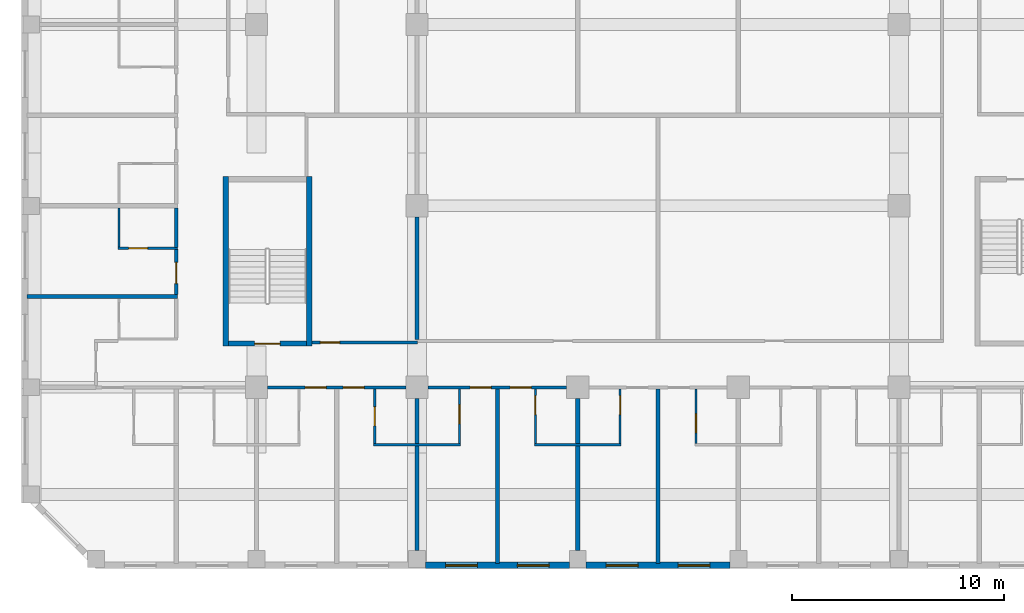
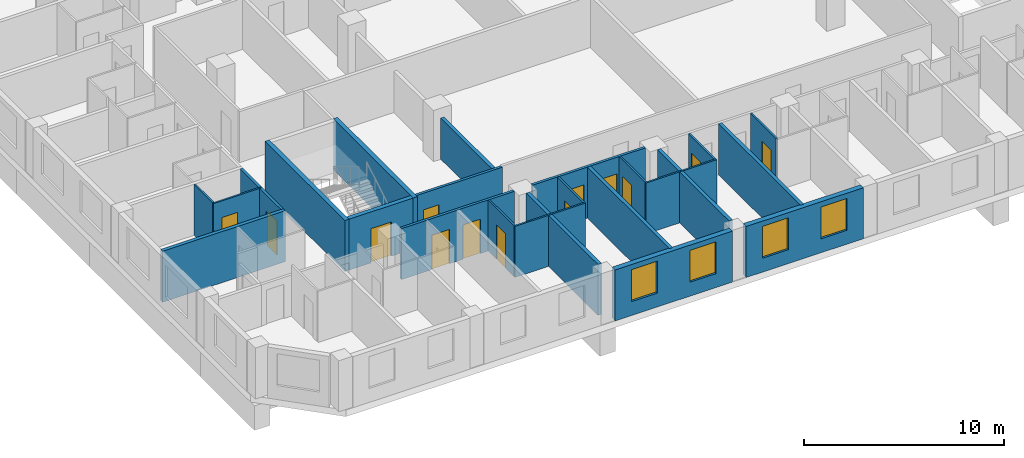
# One storey, part 3 of 16: 27 walls, 13 doors, 4 windows, 17 openings.
"""IFC4 building model written with IfcOpenShell, lengths in metres."""

from ifc_helpers import new_model, si_unit, direction, frame, frame_2d, origin, place, context, subcontext, project, spatial, rectangle, extrude, source, transform, mapped, material, layer, layer_set, type_object, element, fill, save


model = new_model("IFC4")

# Units and contexts
model_context = context("Model", 3, precision=1e-05, world=origin(), true_north=direction((0.0, 1.0)))
body_context = subcontext(model_context, "Body", "Model", "MODEL_VIEW")
ifc_project = project(units=[si_unit("LENGTHUNIT", "METRE"), si_unit("AREAUNIT", "SQUARE_METRE"), si_unit("VOLUMEUNIT", "CUBIC_METRE"), si_unit("PLANEANGLEUNIT", "RADIAN"), si_unit("MASSUNIT", "GRAM", prefix="KILO")], contexts=[model_context])

# Site, building, storey
site_placement = place(None, origin())
site = spatial("IfcSite", under=ifc_project, at=site_placement, CompositionType="ELEMENT")
building_placement = place(site_placement, origin())
building = spatial("IfcBuilding", under=site, at=building_placement, Name="Kilnfold Tower and Market Hall", CompositionType="ELEMENT")
storey_placement = place(building_placement, frame((0.0, 0.0, 168.5)))
storey = spatial("IfcBuildingStorey", under=building, at=storey_placement, Name="L39", CompositionType="ELEMENT", Elevation=168.5)

# Wall, openings, doors
ifc_material_1 = material(Name="Gypsum board on steel studs", Category="steel")
ifc_layer_1 = layer(ifc_material_1, 0.14990234375)
ifc_layer_set_1 = layer_set([ifc_layer_1], Name="Gypsum board on steel studs")
wall_type_1 = type_object("IfcWallType", Name="WALL CORRIDOR 150", PredefinedType="PARTITIONING", material=ifc_layer_set_1)
wall_1_placement = place(storey_placement, frame((-15.64208984375, -17.699951171875, 0.0), z_axis=(0.0, 0.0, 1.0), x_axis=(1.0, 0.0, 0.0)))
wall_1 = element("IfcWall", 1, at=wall_1_placement, inside=storey, type_object=wall_type_1, Name="Partition LY26.2", PredefinedType="PARTITIONING", context=body_context, shape_type="SweptSolid", body=[
    extrude(rectangle(XDim=6.5341796875, YDim=0.14990234375, at=frame_2d((3.26708984375, 0.0))), origin(), (0.0, 0.0, 1.0), 3.1201171875),
])
opening_1_placement = place(wall_1_placement, frame((1.76806640625, 0.0, 0.0)))
opening_1 = element("IfcOpeningElement", 2, at=opening_1_placement, cuts=wall_1, Name="Opening D1", PredefinedType="OPENING", context=body_context, shape_type="SweptSolid", body=[
    extrude(rectangle(XDim=1.0, YDim=2.10009765625, at=frame_2d((0.5, 1.050048828125))), frame((0.0, 0.0849609375, 0.0), z_axis=(0.0, -1.0, 0.0), x_axis=(1.0, 0.0, 0.0)), (0.0, 0.0, 1.0), 0.169921875),
])
opening_2_placement = place(wall_1_placement, frame((3.56005859375, 0.0, 0.0)))
opening_2 = element("IfcOpeningElement", 3, at=opening_2_placement, cuts=wall_1, Name="Opening D1", PredefinedType="OPENING", context=body_context, shape_type="SweptSolid", body=[
    extrude(rectangle(XDim=1.0, YDim=2.10009765625, at=frame_2d((0.5, 1.050048828125))), frame((0.0, 0.0849609375, 0.0), z_axis=(0.0, -1.0, 0.0), x_axis=(1.0, 0.0, 0.0)), (0.0, 0.0, 1.0), 0.169921875),
])
ifc_material_2 = material(Name="Timber veneer door leaf in steel frame", Category="steel")
door_type_1 = type_object("IfcDoorType", Name="DOOR ENTRY 1000 X2100", OperationType="NOTDEFINED", PredefinedType="DOOR", material=ifc_material_2)
door_1_placement = place(opening_1_placement, origin())
door_1 = element("IfcDoor", 4, at=door_1_placement, inside=storey, type_object=door_type_1, Name="Door D1", OperationType="SINGLE_SWING_RIGHT", OverallHeight=2.10009765625, OverallWidth=1.0, PredefinedType="DOOR", context=body_context, shape_type="SweptSolid", body=[
    extrude(rectangle(XDim=1.0, YDim=2.10009765625, at=frame_2d((0.5, 1.050048828125))), frame((0.0, 0.02490234375, 0.0), z_axis=(0.0, -1.0, 0.0), x_axis=(1.0, 0.0, 0.0)), (0.0, 0.0, 1.0), 0.050048828125),
])
fill(opening_1, door_1)
door_2_placement = place(opening_2_placement, origin())
door_2 = element("IfcDoor", 5, at=door_2_placement, inside=storey, type_object=door_type_1, Name="Door D1", OperationType="SINGLE_SWING_RIGHT", OverallHeight=2.10009765625, OverallWidth=1.0, PredefinedType="DOOR", context=body_context, shape_type="SweptSolid", body=[
    extrude(rectangle(XDim=1.0, YDim=2.10009765625, at=frame_2d((0.5, 1.050048828125))), frame((0.0, 0.02490234375, 0.0), z_axis=(0.0, -1.0, 0.0), x_axis=(1.0, 0.0, 0.0)), (0.0, 0.0, 1.0), 0.050048828125),
])
fill(opening_2, door_2)

wall_2_placement = place(storey_placement, frame((-8.05810546875, -17.699951171875, 0.0), z_axis=(0.0, 0.0, 1.0), x_axis=(1.0, 0.0, 0.0)))
wall_2 = element("IfcWall", 6, at=wall_2_placement, inside=storey, type_object=wall_type_1, Name="Partition LY26.3", PredefinedType="PARTITIONING", context=body_context, shape_type="SweptSolid", body=[
    extrude(rectangle(XDim=6.533203125, YDim=0.14990234375, at=frame_2d((3.2666015625, 0.0))), origin(), (0.0, 0.0, 1.0), 3.1201171875),
])
opening_3_placement = place(wall_2_placement, frame((1.972900390625, 0.0, 0.0)))
opening_3 = element("IfcOpeningElement", 7, at=opening_3_placement, cuts=wall_2, Name="Opening D1", PredefinedType="OPENING", context=body_context, shape_type="SweptSolid", body=[
    extrude(rectangle(XDim=1.0, YDim=2.10009765625, at=frame_2d((0.5, 1.050048828125))), frame((0.0, 0.0849609375, 0.0), z_axis=(0.0, -1.0, 0.0), x_axis=(1.0, 0.0, 0.0)), (0.0, 0.0, 1.0), 0.169921875),
])
opening_4_placement = place(wall_2_placement, frame((3.867919921875, 0.0, 0.0)))
opening_4 = element("IfcOpeningElement", 8, at=opening_4_placement, cuts=wall_2, Name="Opening D1", PredefinedType="OPENING", context=body_context, shape_type="SweptSolid", body=[
    extrude(rectangle(XDim=1.0, YDim=2.10009765625, at=frame_2d((0.5, 1.050048828125))), frame((0.0, 0.0849609375, 0.0), z_axis=(0.0, -1.0, 0.0), x_axis=(1.0, 0.0, 0.0)), (0.0, 0.0, 1.0), 0.169921875),
])
door_3_placement = place(opening_3_placement, origin())
door_3 = element("IfcDoor", 9, at=door_3_placement, inside=storey, type_object=door_type_1, Name="Door D1", OperationType="SINGLE_SWING_RIGHT", OverallHeight=2.10009765625, OverallWidth=1.0, PredefinedType="DOOR", context=body_context, shape_type="SweptSolid", body=[
    extrude(rectangle(XDim=1.0, YDim=2.10009765625, at=frame_2d((0.5, 1.050048828125))), frame((0.0, 0.02490234375, 0.0), z_axis=(0.0, -1.0, 0.0), x_axis=(1.0, 0.0, 0.0)), (0.0, 0.0, 1.0), 0.050048828125),
])
fill(opening_3, door_3)
door_4_placement = place(opening_4_placement, origin())
door_4 = element("IfcDoor", 10, at=door_4_placement, inside=storey, type_object=door_type_1, Name="Door D1", OperationType="SINGLE_SWING_LEFT", OverallHeight=2.10009765625, OverallWidth=1.0, PredefinedType="DOOR", context=body_context, shape_type="SweptSolid", body=[
    extrude(rectangle(XDim=1.0, YDim=2.10009765625, at=frame_2d((0.5, 1.050048828125))), frame((0.0, 0.02490234375, 0.0), z_axis=(0.0, -1.0, 0.0), x_axis=(1.0, 0.0, 0.0)), (0.0, 0.0, 1.0), 0.050048828125),
])
fill(opening_4, door_4)

# Wall, opening, door
wall_3_placement = place(storey_placement, frame((-19.958984375, -13.31591796875, 0.0), z_axis=(0.0, 0.0, 1.0), x_axis=(0.0, 1.0, 0.0)))
wall_3 = element("IfcWall", 11, at=wall_3_placement, inside=storey, type_object=wall_type_1, Name="Partition LY26.10", PredefinedType="PARTITIONING", context=body_context, shape_type="SweptSolid", body=[
    extrude(rectangle(XDim=2.15087890625, YDim=0.14990234375, at=frame_2d((1.075439453125, 0.0))), origin(), (0.0, 0.0, 1.0), 3.1201171875),
])
opening_5_placement = place(wall_3_placement, frame((0.52197265625, 0.0, 0.0)))
opening_5 = element("IfcOpeningElement", 12, at=opening_5_placement, cuts=wall_3, Name="Opening D1", PredefinedType="OPENING", context=body_context, shape_type="SweptSolid", body=[
    extrude(rectangle(XDim=1.0, YDim=2.10009765625, at=frame_2d((0.5, 1.050048828125))), frame((0.0, 0.0849609375, 0.0), z_axis=(0.0, -1.0, 0.0), x_axis=(1.0, 0.0, 0.0)), (0.0, 0.0, 1.0), 0.169921875),
])
door_5_placement = place(opening_5_placement, origin())
door_5 = element("IfcDoor", 13, at=door_5_placement, inside=storey, type_object=door_type_1, Name="Door D1", OperationType="SINGLE_SWING_LEFT", OverallHeight=2.10009765625, OverallWidth=1.0, PredefinedType="DOOR", context=body_context, shape_type="SweptSolid", body=[
    extrude(rectangle(XDim=1.0, YDim=2.10009765625, at=frame_2d((0.5, 1.050048828125))), frame((0.0, 0.02490234375, 0.0), z_axis=(0.0, -1.0, 0.0), x_axis=(1.0, 0.0, 0.0)), (0.0, 0.0, 1.0), 0.050048828125),
])
fill(opening_5, door_5)

# Wall
wall_4_placement = place(storey_placement, frame((-19.958984375, -11.0849609375, 0.0), z_axis=(0.0, 0.0, 1.0), x_axis=(0.0, 1.0, 0.0)))
element("IfcWall", 14, at=wall_4_placement, inside=storey, type_object=wall_type_1, Name="Partition LY26.11", PredefinedType="PARTITIONING", context=body_context, shape_type="SweptSolid", body=[
    extrude(rectangle(XDim=1.869873046875, YDim=0.14990234375, at=frame_2d((0.93505859375, 0.0))), origin(), (0.0, 0.0, 1.0), 3.1201171875),
])

# Wall, opening, door
wall_5_placement = place(storey_placement, frame((-8.572998046875, -15.574951171875, 0.0), z_axis=(0.0, 0.0, 1.0), x_axis=(-1.0, 0.0, 0.0)))
wall_5 = element("IfcWall", 15, at=wall_5_placement, inside=storey, type_object=wall_type_1, Name="Partition LY26.47", PredefinedType="PARTITIONING", context=body_context, shape_type="SweptSolid", body=[
    extrude(rectangle(XDim=4.97705078125, YDim=0.14990234375, at=frame_2d((2.488525390625, 0.0))), origin(), (0.0, 0.0, 1.0), 3.1201171875),
])
opening_6_placement = place(wall_5_placement, frame((3.673095703125, 0.0, 0.0)))
opening_6 = element("IfcOpeningElement", 16, at=opening_6_placement, cuts=wall_5, Name="Opening D2", PredefinedType="OPENING", context=body_context, shape_type="SweptSolid", body=[
    extrude(rectangle(XDim=0.89990234375, YDim=2.10009765625, at=frame_2d((0.449951171875, 1.050048828125))), frame((0.0, 0.0849609375, 0.0), z_axis=(0.0, -1.0, 0.0), x_axis=(1.0, 0.0, 0.0)), (0.0, 0.0, 1.0), 0.169921875),
])
ifc_material_3 = material(Name="Timber veneer door leaf in steel frame", Category="steel")
door_type_2 = type_object("IfcDoorType", Name="DOOR ROOM 900 X2100", OperationType="NOTDEFINED", PredefinedType="DOOR", material=ifc_material_3)
door_6_placement = place(opening_6_placement, origin())
door_6 = element("IfcDoor", 17, at=door_6_placement, inside=storey, type_object=door_type_2, Name="Door D2", OperationType="SINGLE_SWING_LEFT", OverallHeight=2.10009765625, OverallWidth=0.89990234375, PredefinedType="DOOR", context=body_context, shape_type="SweptSolid", body=[
    extrude(rectangle(XDim=0.89990234375, YDim=2.10009765625, at=frame_2d((0.449951171875, 1.050048828125))), frame((0.0, 0.02490234375, 0.0), z_axis=(0.0, -1.0, 0.0), x_axis=(1.0, 0.0, 0.0)), (0.0, 0.0, 1.0), 0.050048828125),
])
fill(opening_6, door_6)

ifc_material_4 = material(Name="Gypsum board on steel studs", Category="steel")
ifc_layer_2 = layer(ifc_material_4, 0.10009765625)
ifc_layer_set_2 = layer_set([ifc_layer_2], Name="Gypsum board on steel studs")
wall_type_2 = type_object("IfcWallType", Name="WALL PARTITION 100", PredefinedType="PARTITIONING", material=ifc_layer_set_2)
wall_6_placement = place(storey_placement, frame((-10.5830078125, -20.35205078125, 0.0), z_axis=(0.0, 0.0, 1.0), x_axis=(0.0, 1.0, 0.0)))
wall_6 = element("IfcWall", 18, at=wall_6_placement, inside=storey, type_object=wall_type_2, Name="Partition LY26.61", PredefinedType="PARTITIONING", context=body_context, shape_type="SweptSolid", body=[
    extrude(rectangle(XDim=2.574951171875, YDim=0.10009765625, at=frame_2d((1.28759765625, 0.0))), origin(), (0.0, 0.0, 1.0), 3.1201171875),
])
opening_7_placement = place(wall_6_placement, frame((0.8369140625, 0.0, 0.0)))
opening_7 = element("IfcOpeningElement", 19, at=opening_7_placement, cuts=wall_6, Name="Opening D3", PredefinedType="OPENING", context=body_context, shape_type="SweptSolid", body=[
    extrude(rectangle(XDim=0.89990234375, YDim=2.10009765625, at=frame_2d((0.449951171875, 1.050048828125))), frame((0.0, 0.06005859375, 0.0), z_axis=(0.0, -1.0, 0.0), x_axis=(1.0, 0.0, 0.0)), (0.0, 0.0, 1.0), 0.1201171875),
])
ifc_material_5 = material(Name="Timber veneer door leaf in steel frame", Category="steel")
door_type_3 = type_object("IfcDoorType", Name="DOOR WC 900 X2100", OperationType="NOTDEFINED", PredefinedType="DOOR", material=ifc_material_5)
door_7_placement = place(opening_7_placement, origin())
door_7 = element("IfcDoor", 20, at=door_7_placement, inside=storey, type_object=door_type_3, Name="Door D3", OperationType="SINGLE_SWING_LEFT", OverallHeight=2.10009765625, OverallWidth=0.89990234375, PredefinedType="DOOR", context=body_context, shape_type="SweptSolid", body=[
    extrude(rectangle(XDim=0.89990234375, YDim=2.10009765625, at=frame_2d((0.449951171875, 1.050048828125))), frame((0.0, 0.02490234375, 0.0), z_axis=(0.0, -1.0, 0.0), x_axis=(1.0, 0.0, 0.0)), (0.0, 0.0, 1.0), 0.050048828125),
])
fill(opening_7, door_7)

# Wall
wall_7_placement = place(storey_placement, frame((-10.633056640625, -20.402099609375, 0.0), z_axis=(0.0, 0.0, 1.0), x_axis=(1.0, 0.0, 0.0)))
element("IfcWall", 21, at=wall_7_placement, inside=storey, type_object=wall_type_2, Name="Partition LY26.62", PredefinedType="PARTITIONING", context=body_context, shape_type="SweptSolid", body=[
    extrude(rectangle(XDim=4.10009765625, YDim=0.10009765625, at=frame_2d((2.050048828125, 0.0))), origin(), (0.0, 0.0, 1.0), 3.1201171875),
])

# Wall, opening, door
wall_8_placement = place(storey_placement, frame((-6.5830078125, -17.777099609375, 0.0), z_axis=(0.0, 0.0, 1.0), x_axis=(0.0, -1.0, 0.0)))
wall_8 = element("IfcWall", 22, at=wall_8_placement, inside=storey, type_object=wall_type_2, Name="Partition LY26.65", PredefinedType="PARTITIONING", context=body_context, shape_type="SweptSolid", body=[
    extrude(rectangle(XDim=2.574951171875, YDim=0.10009765625, at=frame_2d((1.28759765625, 0.0))), origin(), (0.0, 0.0, 1.0), 3.1201171875),
])
opening_8_placement = place(wall_8_placement, frame((0.73095703125, 0.0, 0.0)))
opening_8 = element("IfcOpeningElement", 23, at=opening_8_placement, cuts=wall_8, Name="Opening D3", PredefinedType="OPENING", context=body_context, shape_type="SweptSolid", body=[
    extrude(rectangle(XDim=0.89990234375, YDim=2.10009765625, at=frame_2d((0.449951171875, 1.050048828125))), frame((0.0, 0.06005859375, 0.0), z_axis=(0.0, -1.0, 0.0), x_axis=(1.0, 0.0, 0.0)), (0.0, 0.0, 1.0), 0.1201171875),
])
door_8_placement = place(opening_8_placement, origin())
door_8 = element("IfcDoor", 24, at=door_8_placement, inside=storey, type_object=door_type_3, Name="Door D3", OperationType="SINGLE_SWING_RIGHT", OverallHeight=2.10009765625, OverallWidth=0.89990234375, PredefinedType="DOOR", context=body_context, shape_type="SweptSolid", body=[
    extrude(rectangle(XDim=0.89990234375, YDim=2.10009765625, at=frame_2d((0.449951171875, 1.050048828125))), frame((0.0, 0.02490234375, 0.0), z_axis=(0.0, -1.0, 0.0), x_axis=(1.0, 0.0, 0.0)), (0.0, 0.0, 1.0), 0.050048828125),
])
fill(opening_8, door_8)

wall_9_placement = place(storey_placement, frame((-3.0, -20.35205078125, 0.0), z_axis=(0.0, 0.0, 1.0), x_axis=(0.0, 1.0, 0.0)))
wall_9 = element("IfcWall", 25, at=wall_9_placement, inside=storey, type_object=wall_type_2, Name="Partition LY26.67", PredefinedType="PARTITIONING", context=body_context, shape_type="SweptSolid", body=[
    extrude(rectangle(XDim=2.574951171875, YDim=0.10009765625, at=frame_2d((1.28759765625, 0.0))), origin(), (0.0, 0.0, 1.0), 3.1201171875),
])
opening_9_placement = place(wall_9_placement, frame((1.368896484375, 0.0, 0.0)))
opening_9 = element("IfcOpeningElement", 26, at=opening_9_placement, cuts=wall_9, Name="Opening D3", PredefinedType="OPENING", context=body_context, shape_type="SweptSolid", body=[
    extrude(rectangle(XDim=0.89990234375, YDim=2.10009765625, at=frame_2d((0.449951171875, 1.050048828125))), frame((0.0, 0.06005859375, 0.0), z_axis=(0.0, -1.0, 0.0), x_axis=(1.0, 0.0, 0.0)), (0.0, 0.0, 1.0), 0.1201171875),
])
door_9_placement = place(opening_9_placement, origin())
door_9 = element("IfcDoor", 27, at=door_9_placement, inside=storey, type_object=door_type_3, Name="Door D3", OperationType="SINGLE_SWING_RIGHT", OverallHeight=2.10009765625, OverallWidth=0.89990234375, PredefinedType="DOOR", context=body_context, shape_type="SweptSolid", body=[
    extrude(rectangle(XDim=0.89990234375, YDim=2.10009765625, at=frame_2d((0.449951171875, 1.050048828125))), frame((0.0, 0.02490234375, 0.0), z_axis=(0.0, -1.0, 0.0), x_axis=(1.0, 0.0, 0.0)), (0.0, 0.0, 1.0), 0.050048828125),
])
fill(opening_9, door_9)

# Wall
wall_10_placement = place(storey_placement, frame((-3.050048828125, -20.402099609375, 0.0), z_axis=(0.0, 0.0, 1.0), x_axis=(1.0, 0.0, 0.0)))
element("IfcWall", 28, at=wall_10_placement, inside=storey, type_object=wall_type_2, Name="Partition LY26.68", PredefinedType="PARTITIONING", context=body_context, shape_type="SweptSolid", body=[
    extrude(rectangle(XDim=4.10009765625, YDim=0.10009765625, at=frame_2d((2.050048828125, 0.0))), origin(), (0.0, 0.0, 1.0), 3.1201171875),
])

# Wall, opening, door
wall_11_placement = place(storey_placement, frame((1.0, -17.777099609375, 0.0), z_axis=(0.0, 0.0, 1.0), x_axis=(0.0, -1.0, 0.0)))
wall_11 = element("IfcWall", 29, at=wall_11_placement, inside=storey, type_object=wall_type_2, Name="Partition LY26.71", PredefinedType="PARTITIONING", context=body_context, shape_type="SweptSolid", body=[
    extrude(rectangle(XDim=2.574951171875, YDim=0.10009765625, at=frame_2d((1.28759765625, 0.0))), origin(), (0.0, 0.0, 1.0), 3.1201171875),
])
opening_10_placement = place(wall_11_placement, frame((0.305908203125, 0.0, 0.0)))
opening_10 = element("IfcOpeningElement", 30, at=opening_10_placement, cuts=wall_11, Name="Opening D3", PredefinedType="OPENING", context=body_context, shape_type="SweptSolid", body=[
    extrude(rectangle(XDim=0.89990234375, YDim=2.10009765625, at=frame_2d((0.449951171875, 1.050048828125))), frame((0.0, 0.06005859375, 0.0), z_axis=(0.0, -1.0, 0.0), x_axis=(1.0, 0.0, 0.0)), (0.0, 0.0, 1.0), 0.1201171875),
])
door_10_placement = place(opening_10_placement, origin())
door_10 = element("IfcDoor", 31, at=door_10_placement, inside=storey, type_object=door_type_3, Name="Door D3", OperationType="SINGLE_SWING_RIGHT", OverallHeight=2.10009765625, OverallWidth=0.89990234375, PredefinedType="DOOR", context=body_context, shape_type="SweptSolid", body=[
    extrude(rectangle(XDim=0.89990234375, YDim=2.10009765625, at=frame_2d((0.449951171875, 1.050048828125))), frame((0.0, 0.02490234375, 0.0), z_axis=(0.0, -1.0, 0.0), x_axis=(1.0, 0.0, 0.0)), (0.0, 0.0, 1.0), 0.050048828125),
])
fill(opening_10, door_10)

wall_12_placement = place(storey_placement, frame((4.5830078125, -20.35205078125, 0.0), z_axis=(0.0, 0.0, 1.0), x_axis=(0.0, 1.0, 0.0)))
wall_12 = element("IfcWall", 32, at=wall_12_placement, inside=storey, type_object=wall_type_2, Name="Partition LY26.73", PredefinedType="PARTITIONING", context=body_context, shape_type="SweptSolid", body=[
    extrude(rectangle(XDim=2.574951171875, YDim=0.10009765625, at=frame_2d((1.28759765625, 0.0))), origin(), (0.0, 0.0, 1.0), 3.1201171875),
])
opening_11_placement = place(wall_12_placement, frame((0.51904296875, 0.0, 0.0)))
opening_11 = element("IfcOpeningElement", 33, at=opening_11_placement, cuts=wall_12, Name="Opening D3", PredefinedType="OPENING", context=body_context, shape_type="SweptSolid", body=[
    extrude(rectangle(XDim=0.89990234375, YDim=2.10009765625, at=frame_2d((0.449951171875, 1.050048828125))), frame((0.0, 0.06005859375, 0.0), z_axis=(0.0, -1.0, 0.0), x_axis=(1.0, 0.0, 0.0)), (0.0, 0.0, 1.0), 0.1201171875),
])
door_11_placement = place(opening_11_placement, origin())
door_11 = element("IfcDoor", 34, at=door_11_placement, inside=storey, type_object=door_type_3, Name="Door D3", OperationType="SINGLE_SWING_RIGHT", OverallHeight=2.10009765625, OverallWidth=0.89990234375, PredefinedType="DOOR", context=body_context, shape_type="SweptSolid", body=[
    extrude(rectangle(XDim=0.89990234375, YDim=2.10009765625, at=frame_2d((0.449951171875, 1.050048828125))), frame((0.0, 0.02490234375, 0.0), z_axis=(0.0, -1.0, 0.0), x_axis=(1.0, 0.0, 0.0)), (0.0, 0.0, 1.0), 0.050048828125),
])
fill(opening_11, door_11)

wall_13_placement = place(storey_placement, frame((-19.885986328125, -11.125, 0.0), z_axis=(0.0, 0.0, 1.0), x_axis=(-1.0, 0.0, 0.0)))
wall_13 = element("IfcWall", 35, at=wall_13_placement, inside=storey, type_object=wall_type_2, Name="Partition LY26.92", PredefinedType="PARTITIONING", context=body_context, shape_type="SweptSolid", body=[
    extrude(rectangle(XDim=2.824951171875, YDim=0.10009765625, at=frame_2d((1.41259765625, 0.0))), origin(), (0.0, 0.0, 1.0), 3.1201171875),
])
opening_12_placement = place(wall_13_placement, frame((1.419921875, 0.0, 0.0)))
opening_12 = element("IfcOpeningElement", 36, at=opening_12_placement, cuts=wall_13, Name="Opening D3", PredefinedType="OPENING", context=body_context, shape_type="SweptSolid", body=[
    extrude(rectangle(XDim=0.89990234375, YDim=2.10009765625, at=frame_2d((0.449951171875, 1.050048828125))), frame((0.0, 0.06005859375, 0.0), z_axis=(0.0, -1.0, 0.0), x_axis=(1.0, 0.0, 0.0)), (0.0, 0.0, 1.0), 0.1201171875),
])
door_12_placement = place(opening_12_placement, origin())
door_12 = element("IfcDoor", 37, at=door_12_placement, inside=storey, type_object=door_type_3, Name="Door D3", OperationType="SINGLE_SWING_LEFT", OverallHeight=2.10009765625, OverallWidth=0.89990234375, PredefinedType="DOOR", context=body_context, shape_type="SweptSolid", body=[
    extrude(rectangle(XDim=0.89990234375, YDim=2.10009765625, at=frame_2d((0.449951171875, 1.050048828125))), frame((0.0, 0.02490234375, 0.0), z_axis=(0.0, -1.0, 0.0), x_axis=(1.0, 0.0, 0.0)), (0.0, 0.0, 1.0), 0.050048828125),
])
fill(opening_12, door_12)

# Walls
wall_14_placement = place(storey_placement, frame((-22.660888671875, -11.074951171875, 0.0), z_axis=(0.0, 0.0, 1.0), x_axis=(0.0, 1.0, 0.0)))
element("IfcWall", 38, at=wall_14_placement, inside=storey, type_object=wall_type_2, Name="Partition LY26.93", PredefinedType="PARTITIONING", context=body_context, shape_type="SweptSolid", body=[
    extrude(rectangle(XDim=1.849853515625, YDim=0.10009765625, at=frame_2d((0.9248046875, 0.0))), origin(), (0.0, 0.0, 1.0), 3.1201171875),
])
ifc_material_6 = material(Name="Gypsum board on steel studs", Category="steel")
ifc_layer_3 = layer(ifc_material_6, 0.199951171875)
ifc_layer_set_3 = layer_set([ifc_layer_3], Name="Gypsum board on steel studs")
wall_type_3 = type_object("IfcWallType", Name="WALL PARTY 200", PredefinedType="PARTITIONING", material=ifc_layer_set_3)
wall_15_placement = place(storey_placement, frame((-8.5830078125, -25.39990234375, 0.0), z_axis=(0.0, 0.0, 1.0), x_axis=(0.0, 1.0, 0.0)))
element("IfcWall", 39, at=wall_15_placement, inside=storey, type_object=wall_type_3, Name="Partition LY26.63", PredefinedType="PARTITIONING", context=body_context, shape_type="SweptSolid", body=[
    extrude(rectangle(XDim=4.947998046875, YDim=0.199951171875, at=frame_2d((2.47412109375, 0.0))), origin(), (0.0, 0.0, 1.0), 3.1201171875),
])
wall_16_placement = place(storey_placement, frame((-8.5830078125, -20.35205078125, 0.0), z_axis=(0.0, 0.0, 1.0), x_axis=(0.0, 1.0, 0.0)))
element("IfcWall", 40, at=wall_16_placement, inside=storey, type_object=wall_type_3, Name="Partition LY26.64", PredefinedType="PARTITIONING", context=body_context, shape_type="SweptSolid", body=[
    extrude(rectangle(XDim=2.14013671875, YDim=0.199951171875, at=frame_2d((1.070068359375, 0.0))), origin(), (0.0, 0.0, 1.0), 3.1201171875),
])
wall_17_placement = place(storey_placement, frame((-4.7919921875, -26.0, 0.0), z_axis=(0.0, 0.0, 1.0), x_axis=(0.0, 1.0, 0.0)))
element("IfcWall", 41, at=wall_17_placement, inside=storey, type_object=wall_type_3, Name="Partition LY26.66", PredefinedType="PARTITIONING", context=body_context, shape_type="SweptSolid", body=[
    extrude(rectangle(XDim=8.222900390625, YDim=0.199951171875, at=frame_2d((4.111328125, 0.0))), origin(), (0.0, 0.0, 1.0), 3.1201171875),
])
wall_18_placement = place(storey_placement, frame((-1.0, -25.39990234375, 0.0), z_axis=(0.0, 0.0, 1.0), x_axis=(0.0, 1.0, 0.0)))
element("IfcWall", 42, at=wall_18_placement, inside=storey, type_object=wall_type_3, Name="Partition LY26.69", PredefinedType="PARTITIONING", context=body_context, shape_type="SweptSolid", body=[
    extrude(rectangle(XDim=4.947998046875, YDim=0.199951171875, at=frame_2d((2.47412109375, 0.0))), origin(), (0.0, 0.0, 1.0), 3.1201171875),
])
wall_19_placement = place(storey_placement, frame((-1.0, -20.35205078125, 0.0), z_axis=(0.0, 0.0, 1.0), x_axis=(0.0, 1.0, 0.0)))
element("IfcWall", 43, at=wall_19_placement, inside=storey, type_object=wall_type_3, Name="Partition LY26.70", PredefinedType="PARTITIONING", context=body_context, shape_type="SweptSolid", body=[
    extrude(rectangle(XDim=2.14013671875, YDim=0.199951171875, at=frame_2d((1.070068359375, 0.0))), origin(), (0.0, 0.0, 1.0), 3.1201171875),
])
wall_20_placement = place(storey_placement, frame((2.7919921875, -26.0, 0.0), z_axis=(0.0, 0.0, 1.0), x_axis=(0.0, 1.0, 0.0)))
element("IfcWall", 44, at=wall_20_placement, inside=storey, type_object=wall_type_3, Name="Partition LY26.72", PredefinedType="PARTITIONING", context=body_context, shape_type="SweptSolid", body=[
    extrude(rectangle(XDim=8.222900390625, YDim=0.199951171875, at=frame_2d((4.111328125, 0.0))), origin(), (0.0, 0.0, 1.0), 3.1201171875),
])
wall_21_placement = place(storey_placement, frame((-27.0, -13.406005859375, 0.0), z_axis=(0.0, 0.0, 1.0), x_axis=(1.0, 0.0, 0.0)))
element("IfcWall", 45, at=wall_21_placement, inside=storey, type_object=wall_type_3, Name="Partition LY26.91", PredefinedType="PARTITIONING", context=body_context, shape_type="SweptSolid", body=[
    extrude(rectangle(XDim=7.114013671875, YDim=0.199951171875, at=frame_2d((3.55712890625, 0.0))), origin(), (0.0, 0.0, 1.0), 3.1201171875),
])
wall_22_placement = place(storey_placement, frame((-8.5830078125, -15.423095703125, 0.0), z_axis=(0.0, 0.0, 1.0), x_axis=(0.0, 1.0, 0.0)))
element("IfcWall", 46, at=wall_22_placement, inside=storey, type_object=wall_type_3, Name="Partition LY26.141", PredefinedType="PARTITIONING", context=body_context, shape_type="SweptSolid", body=[
    extrude(rectangle(XDim=5.773193359375, YDim=0.199951171875, at=frame_2d((2.88671875, 0.0))), origin(), (0.0, 0.0, 1.0), 2.52001953125),
])

# Wall, opening, door
ifc_material_7 = material(Name="Concrete C70", Category="concrete")
ifc_layer_4 = layer(ifc_material_7, 0.25)
ifc_layer_set_4 = layer_set([ifc_layer_4], Name="Concrete C70")
wall_type_4 = type_object("IfcWallType", Name="CORE WALL 250 C70", PredefinedType="SHEAR", material=ifc_layer_set_4)
shared_shape_1 = source(origin(), body_context, "Body", "SweptSolid", [
    extrude(rectangle(XDim=3.699951171875, YDim=0.25, at=frame_2d((1.85009765625, 0.0))), origin(), (0.0, 0.0, 1.0), 3.1201171875),
])
wall_23_placement = place(storey_placement, frame((-17.5, -15.625, 0.0), z_axis=(0.0, 0.0, 1.0), x_axis=(1.0, 0.0, 0.0)))
wall_23 = element("IfcWall", 47, at=wall_23_placement, inside=storey, type_object=wall_type_4, Name="Stair enclosure ST3", PredefinedType="SHEAR", context=body_context, shape_type="MappedRepresentation", body=[
    mapped(shared_shape_1, transform((0.0, 0.0, 0.0))),
])
opening_13_placement = place(wall_23_placement, frame((1.25, 0.0, 0.0)))
opening_13 = element("IfcOpeningElement", 48, at=opening_13_placement, cuts=wall_23, Name="Opening SD1", PredefinedType="OPENING", context=body_context, shape_type="SweptSolid", body=[
    extrude(rectangle(XDim=1.199951171875, YDim=2.10009765625, at=frame_2d((0.60009765625, 1.050048828125))), frame((0.0, 0.135009765625, 0.0), z_axis=(0.0, -1.0, 0.0), x_axis=(1.0, 0.0, 0.0)), (0.0, 0.0, 1.0), 0.27001953125),
])
ifc_material_8 = material(Name="Steel door set with fire-resisting leaf", Category="steel")
door_type_4 = type_object("IfcDoorType", Name="STAIR FLOOR DOOR 1200X2100", OperationType="NOTDEFINED", PredefinedType="DOOR", material=ifc_material_8)
door_13_placement = place(opening_13_placement, origin())
door_13 = element("IfcDoor", 49, at=door_13_placement, inside=storey, type_object=door_type_4, Name="Exit stair ST3 door", OperationType="DOUBLE_DOOR_SINGLE_SWING", OverallHeight=2.10009765625, OverallWidth=1.199951171875, PredefinedType="DOOR", context=body_context, shape_type="SweptSolid", body=[
    extrude(rectangle(XDim=1.199951171875, YDim=2.10009765625, at=frame_2d((0.60009765625, 1.050048828125))), frame((0.0, 0.02490234375, 0.0), z_axis=(0.0, -1.0, 0.0), x_axis=(1.0, 0.0, 0.0)), (0.0, 0.0, 1.0), 0.050048828125),
])
fill(opening_13, door_13)

# Walls
shared_shape_2 = source(origin(), body_context, "Body", "SweptSolid", [
    extrude(rectangle(XDim=8.0, YDim=0.25, at=frame_2d((4.0, 0.0))), origin(), (0.0, 0.0, 1.0), 3.1201171875),
])
for number, where, z_axis, x_axis, name in (
    (50, (-17.625, -15.75, 0.0), (0.0, 0.0, 1.0), (0.0, 1.0, 0.0), "Stair enclosure ST3"),
    (51, (-13.675048828125, -15.75, 0.0), (0.0, 0.0, 1.0), (0.0, 1.0, 0.0), "Stair enclosure ST3"),
):
    element("IfcWall", number, at=place(storey_placement, frame(where, z_axis=z_axis, x_axis=x_axis)), inside=storey, type_object=wall_type_4, Name=name, PredefinedType="SHEAR", context=body_context, shape_type="MappedRepresentation", body=[
        mapped(shared_shape_2, transform((0.0, 0.0, 0.0))),
    ])

# Wall, openings, windows
ifc_material_9 = material(Name="Precast concrete C50/60", Category="concrete")
ifc_layer_5 = layer(ifc_material_9, 0.300048828125)
ifc_layer_set_5 = layer_set([ifc_layer_5], Name="Precast concrete C50/60")
wall_type_5 = type_object("IfcWallType", Name="PRECAST WALL 300", PredefinedType="SOLIDWALL", material=ifc_layer_set_5)
shared_shape_3 = source(origin(), body_context, "Body", "SweptSolid", [
    extrude(rectangle(XDim=6.783447265625, YDim=0.300048828125, at=frame_2d((3.3916015625, 0.0))), origin(), (0.0, 0.0, 1.0), 3.1201171875),
])
wall_24_placement = place(storey_placement, frame((-8.183349609375, -26.10009765625, 0.0), z_axis=(0.0, 0.0, 1.0), x_axis=(1.0, 0.0, 0.0)))
wall_24 = element("IfcWall", 52, at=wall_24_placement, inside=storey, type_object=wall_type_5, Name="External wall L39 S", PredefinedType="SOLIDWALL", context=body_context, shape_type="MappedRepresentation", body=[
    mapped(shared_shape_3, transform((0.0, 0.0, 0.0))),
])
opening_14_placement = place(wall_24_placement, frame((0.94580078125, 0.0, 0.85009765625)))
opening_14 = element("IfcOpeningElement", 53, at=opening_14_placement, cuts=wall_24, Name="Opening W4", PredefinedType="OPENING", context=body_context, shape_type="SweptSolid", body=[
    extrude(rectangle(XDim=1.5, YDim=1.949951171875, at=frame_2d((0.75, 0.97509765625))), frame((0.0, 0.16015625, 0.0), z_axis=(0.0, -1.0, 0.0), x_axis=(1.0, 0.0, 0.0)), (0.0, 0.0, 1.0), 0.320068359375),
])
opening_15_placement = place(wall_24_placement, frame((4.33740234375, 0.0, 0.85009765625)))
opening_15 = element("IfcOpeningElement", 54, at=opening_15_placement, cuts=wall_24, Name="Opening W4", PredefinedType="OPENING", context=body_context, shape_type="SweptSolid", body=[
    extrude(rectangle(XDim=1.5, YDim=1.949951171875, at=frame_2d((0.75, 0.97509765625))), frame((0.0, 0.16015625, 0.0), z_axis=(0.0, -1.0, 0.0), x_axis=(1.0, 0.0, 0.0)), (0.0, 0.0, 1.0), 0.320068359375),
])
ifc_material_10 = material(Name="Aluminium frame and double glazing", Category="aluminium")
window_type = type_object("IfcWindowType", Name="WINDOW W4 1500X1950", PartitioningType="SINGLE_PANEL", PredefinedType="WINDOW", material=ifc_material_10)
window_1_placement = place(opening_14_placement, origin())
window_1 = element("IfcWindow", 55, at=window_1_placement, inside=storey, type_object=window_type, Name="Window W4 L39 S-1", OverallHeight=1.949951171875, OverallWidth=1.5, PartitioningType="SINGLE_PANEL", PredefinedType="WINDOW", context=body_context, shape_type="SweptSolid", body=[
    extrude(rectangle(XDim=1.5, YDim=1.949951171875, at=frame_2d((0.75, 0.97509765625))), frame((0.0, 0.030029296875, 0.0), z_axis=(0.0, -1.0, 0.0), x_axis=(1.0, 0.0, 0.0)), (0.0, 0.0, 1.0), 0.06005859375),
])
fill(opening_14, window_1)
window_2_placement = place(opening_15_placement, origin())
window_2 = element("IfcWindow", 56, at=window_2_placement, inside=storey, type_object=window_type, Name="Window W4 L39 S-2", OverallHeight=1.949951171875, OverallWidth=1.5, PartitioningType="SINGLE_PANEL", PredefinedType="WINDOW", context=body_context, shape_type="SweptSolid", body=[
    extrude(rectangle(XDim=1.5, YDim=1.949951171875, at=frame_2d((0.75, 0.97509765625))), frame((0.0, 0.030029296875, 0.0), z_axis=(0.0, -1.0, 0.0), x_axis=(1.0, 0.0, 0.0)), (0.0, 0.0, 1.0), 0.06005859375),
])
fill(opening_15, window_2)

wall_25_placement = place(storey_placement, frame((-0.60009765625, -26.10009765625, 0.0), z_axis=(0.0, 0.0, 1.0), x_axis=(1.0, 0.0, 0.0)))
wall_25 = element("IfcWall", 57, at=wall_25_placement, inside=storey, type_object=wall_type_5, Name="External wall L39 S", PredefinedType="SOLIDWALL", context=body_context, shape_type="MappedRepresentation", body=[
    mapped(shared_shape_3, transform((0.0, 0.0, 0.0))),
])
opening_16_placement = place(wall_25_placement, frame((0.94580078125, 0.0, 0.85009765625)))
opening_16 = element("IfcOpeningElement", 58, at=opening_16_placement, cuts=wall_25, Name="Opening W4", PredefinedType="OPENING", context=body_context, shape_type="SweptSolid", body=[
    extrude(rectangle(XDim=1.5, YDim=1.949951171875, at=frame_2d((0.75, 0.97509765625))), frame((0.0, 0.16015625, 0.0), z_axis=(0.0, -1.0, 0.0), x_axis=(1.0, 0.0, 0.0)), (0.0, 0.0, 1.0), 0.320068359375),
])
opening_17_placement = place(wall_25_placement, frame((4.33740234375, 0.0, 0.85009765625)))
opening_17 = element("IfcOpeningElement", 59, at=opening_17_placement, cuts=wall_25, Name="Opening W4", PredefinedType="OPENING", context=body_context, shape_type="SweptSolid", body=[
    extrude(rectangle(XDim=1.5, YDim=1.949951171875, at=frame_2d((0.75, 0.97509765625))), frame((0.0, 0.16015625, 0.0), z_axis=(0.0, -1.0, 0.0), x_axis=(1.0, 0.0, 0.0)), (0.0, 0.0, 1.0), 0.320068359375),
])
window_3_placement = place(opening_16_placement, origin())
window_3 = element("IfcWindow", 60, at=window_3_placement, inside=storey, type_object=window_type, Name="Window W4 L39 S-1", OverallHeight=1.949951171875, OverallWidth=1.5, PartitioningType="SINGLE_PANEL", PredefinedType="WINDOW", context=body_context, shape_type="SweptSolid", body=[
    extrude(rectangle(XDim=1.5, YDim=1.949951171875, at=frame_2d((0.75, 0.97509765625))), frame((0.0, 0.030029296875, 0.0), z_axis=(0.0, -1.0, 0.0), x_axis=(1.0, 0.0, 0.0)), (0.0, 0.0, 1.0), 0.06005859375),
])
fill(opening_16, window_3)
window_4_placement = place(opening_17_placement, origin())
window_4 = element("IfcWindow", 61, at=window_4_placement, inside=storey, type_object=window_type, Name="Window W4 L39 S-2", OverallHeight=1.949951171875, OverallWidth=1.5, PartitioningType="SINGLE_PANEL", PredefinedType="WINDOW", context=body_context, shape_type="SweptSolid", body=[
    extrude(rectangle(XDim=1.5, YDim=1.949951171875, at=frame_2d((0.75, 0.97509765625))), frame((0.0, 0.030029296875, 0.0), z_axis=(0.0, -1.0, 0.0), x_axis=(1.0, 0.0, 0.0)), (0.0, 0.0, 1.0), 0.06005859375),
])
fill(opening_17, window_4)

save(model, "model.ifc")
